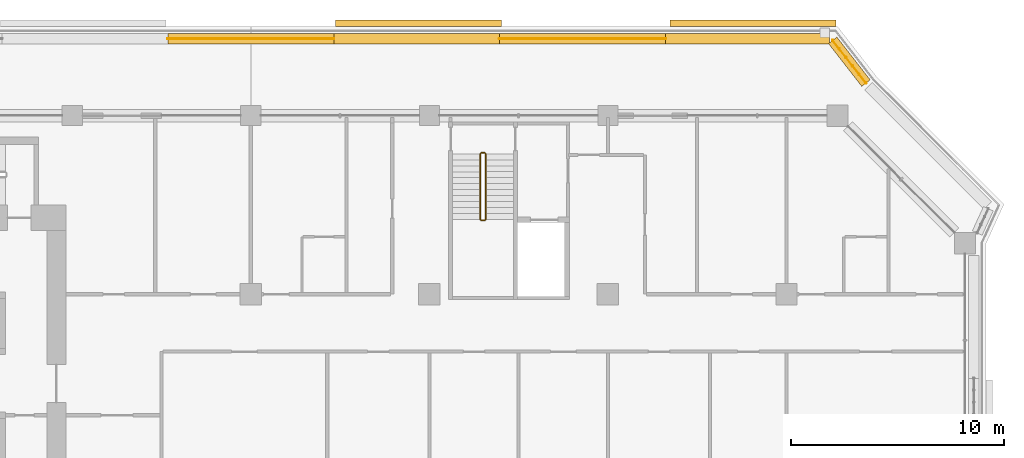
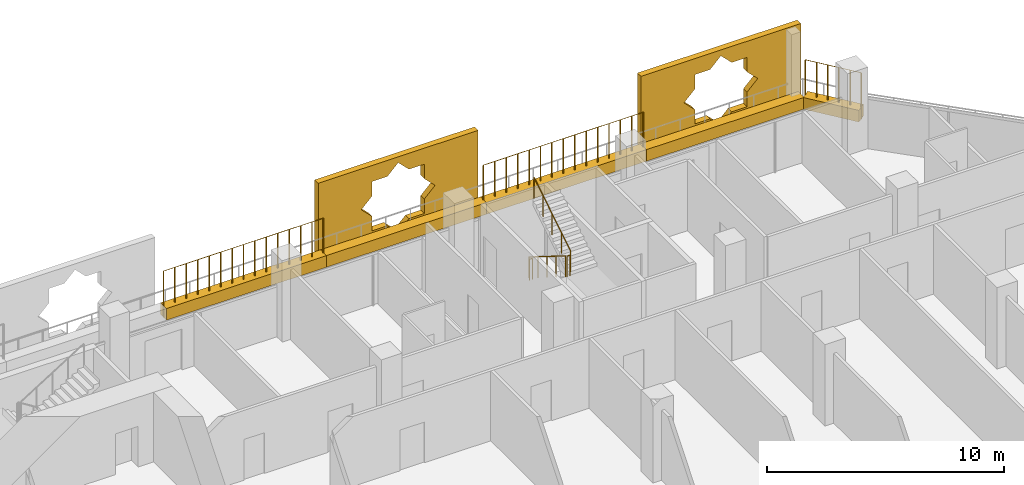
# One storey, part 21 of 22: 7 coverings, 7 railings.
"""IFC4 building model written with IfcOpenShell, lengths in metres."""

from ifc_helpers import new_model, si_unit, direction, frame, origin, origin_2d, place, context, subcontext, project, spatial, polyline, rectangle, circle, outline, extrude, material, material_profile, profile_set, type_object, element, save


model = new_model("IFC4")

# Units and contexts
model_context = context("Model", 3, precision=1e-05, world=origin(), true_north=direction((0.0, 1.0)))
body_context = subcontext(model_context, "Body", "Model", "MODEL_VIEW")
ifc_project = project(units=[si_unit("LENGTHUNIT", "METRE"), si_unit("AREAUNIT", "SQUARE_METRE"), si_unit("VOLUMEUNIT", "CUBIC_METRE"), si_unit("PLANEANGLEUNIT", "RADIAN"), si_unit("MASSUNIT", "GRAM", prefix="KILO")], contexts=[model_context])

# Site, building, storey
site_placement = place(None, origin())
site = spatial("IfcSite", under=ifc_project, at=site_placement, CompositionType="ELEMENT")
building_placement = place(site_placement, origin())
building = spatial("IfcBuilding", under=site, at=building_placement, Name="Kawkab Arch Medical Tower", CompositionType="ELEMENT")
storey_placement = place(building_placement, frame((0.0, 0.0, 179.39990234375)))
storey = spatial("IfcBuildingStorey", under=building, at=storey_placement, Name="L41", CompositionType="ELEMENT", Elevation=179.39990234375)

# Coverings
ifc_material_1 = material(Name="Bronze anodised aluminium mashrabiya panel, eight-point star pattern", Category="aluminium")
ifc_material_profile_1 = material_profile(ifc_material_1, outline(polyline([(-3.89990234375, -2.10009765625), (3.89990234375, -2.10009765625), (3.89990234375, 2.10009765625), (-3.89990234375, 2.10009765625), (-3.89990234375, -2.10009765625)]), holes=[polyline([(1.800048828125, 0.0), (1.272705078125, 0.527099609375), (1.272705078125, 1.272705078125), (0.527099609375, 1.272705078125), (0.0, 1.800048828125), (-0.527099609375, 1.272705078125), (-1.272705078125, 1.272705078125), (-1.272705078125, 0.527099609375), (-1.800048828125, 0.0), (-1.272705078125, -0.527099609375), (-1.272705078125, -1.272705078125), (-0.527099609375, -1.272705078125), (0.0, -1.800048828125), (0.527099609375, -1.272705078125), (1.272705078125, -1.272705078125), (1.272705078125, -0.527099609375), (1.800048828125, 0.0)])]), Name="Mashrabiya panel 7800x4200")
ifc_profile_set_1 = profile_set([ifc_material_profile_1], Name="Bronze anodised aluminium mashrabiya panel, eight-point star pattern")
covering_type_1 = type_object("IfcCoveringType", Name="Mashrabiya panel 7800 x 4200", PredefinedType="USERDEFINED", material=ifc_profile_set_1)
for number, where, z_axis, x_axis, name in (
    (1, (41.484375, 4.199951171875, 1.7001953125), (0.0, 1.0, 0.0), (-1.0, 0.0, 0.0), "Mashrabiya panel L41.LOG-01-01.7"),
    (2, (57.23291015625, 4.199951171875, 1.7001953125), (0.0, 1.0, 0.0), (-1.0, 0.0, 0.0), "Mashrabiya panel L41.LOG-01-01.8"),
):
    element("IfcCovering", number, at=place(storey_placement, frame(where, z_axis=z_axis, x_axis=x_axis)), inside=storey, type_object=covering_type_1, Name=name, ObjectType="SCREEN", PredefinedType="USERDEFINED", context=body_context, shape_type="SweptSolid", body=[
        extrude(outline(polyline([(-3.89990234375, -2.10009765625), (3.89990234375, -2.10009765625), (3.89990234375, 2.10009765625), (-3.89990234375, 2.10009765625), (-3.89990234375, -2.10009765625)]), holes=[polyline([(1.800048828125, 0.0), (1.272705078125, 0.527099609375), (1.272705078125, 1.272705078125), (0.527099609375, 1.272705078125), (0.0, 1.800048828125), (-0.527099609375, 1.272705078125), (-1.272705078125, 1.272705078125), (-1.272705078125, 0.527099609375), (-1.800048828125, 0.0), (-1.272705078125, -0.527099609375), (-1.272705078125, -1.272705078125), (-0.527099609375, -1.272705078125), (0.0, -1.800048828125), (0.527099609375, -1.272705078125), (1.272705078125, -1.272705078125), (1.272705078125, -0.527099609375), (1.800048828125, 0.0)])]), origin(), (0.0, 0.0, 1.0), 0.300048828125),
    ])
ifc_material_2 = material(Name="Planting soil in a precast trough", Category="concrete")
ifc_material_profile_2 = material_profile(ifc_material_2, rectangle(XDim=0.5, YDim=0.60009765625, at=origin_2d()), Name="Trough 500x600")
ifc_profile_set_2 = profile_set([ifc_material_profile_2], Name="Planting soil in a precast trough")
covering_type_2 = type_object("IfcCoveringType", Name="Planter trough 500 x 600", PredefinedType="USERDEFINED", material=ifc_profile_set_2)
covering_1_placement = place(storey_placement, frame((29.697998046875, 3.6201171875, 0.300048828125), z_axis=(1.0, 0.0, 0.0), x_axis=(0.0, 1.0, 0.0)))
element("IfcCovering", 3, at=covering_1_placement, inside=storey, type_object=covering_type_2, Name="Planter L41.LOG-01-01.21", ObjectType="PLANTER", PredefinedType="USERDEFINED", context=body_context, shape_type="SweptSolid", body=[
    extrude(rectangle(XDim=0.5, YDim=0.60009765625, at=origin_2d()), origin(), (0.0, 0.0, 1.0), 7.803955078125),
])
covering_2_placement = place(storey_placement, frame((37.501953125, 3.6201171875, 0.300048828125), z_axis=(1.0, 0.0, 0.0), x_axis=(0.0, 1.0, 0.0)))
element("IfcCovering", 4, at=covering_2_placement, inside=storey, type_object=covering_type_2, Name="Planter L41.LOG-01-01.22", ObjectType="PLANTER", PredefinedType="USERDEFINED", context=body_context, shape_type="SweptSolid", body=[
    extrude(rectangle(XDim=0.5, YDim=0.60009765625, at=origin_2d()), origin(), (0.0, 0.0, 1.0), 7.804931640625),
])
covering_3_placement = place(storey_placement, frame((45.306884765625, 3.6201171875, 0.300048828125), z_axis=(1.0, 0.0, 0.0), x_axis=(0.0, 1.0, 0.0)))
element("IfcCovering", 5, at=covering_3_placement, inside=storey, type_object=covering_type_2, Name="Planter L41.LOG-01-01.23", ObjectType="PLANTER", PredefinedType="USERDEFINED", context=body_context, shape_type="SweptSolid", body=[
    extrude(rectangle(XDim=0.5, YDim=0.60009765625, at=origin_2d()), origin(), (0.0, 0.0, 1.0), 7.80517578125),
])
covering_4_placement = place(storey_placement, frame((53.112060546875, 3.6201171875, 0.300048828125), z_axis=(1.0, 0.0, 0.0), x_axis=(0.0, 1.0, 0.0)))
element("IfcCovering", 6, at=covering_4_placement, inside=storey, type_object=covering_type_2, Name="Planter L41.LOG-01-01.24", ObjectType="PLANTER", PredefinedType="USERDEFINED", context=body_context, shape_type="SweptSolid", body=[
    extrude(rectangle(XDim=0.5, YDim=0.60009765625, at=origin_2d()), origin(), (0.0, 0.0, 1.0), 7.703857421875),
])
covering_5_placement = place(storey_placement, frame((60.97802734375, 3.541015625, 0.300048828125), z_axis=(0.61404021143, -0.789274742246, 0.0), x_axis=(0.789274742246, 0.61404021143, 0.0)))
element("IfcCovering", 7, at=covering_5_placement, inside=storey, type_object=covering_type_2, Name="Planter L41.LOG-01-01.25", ObjectType="PLANTER", PredefinedType="USERDEFINED", context=body_context, shape_type="SweptSolid", body=[
    extrude(rectangle(XDim=0.5, YDim=0.60009765625, at=origin_2d()), origin(), (0.0, 0.0, 1.0), 2.54541015625),
])

# Railings
ifc_material_3 = material(Name="Bronze anodised aluminium trellis for climbing plants", Category="aluminium")
railing_type_1 = type_object("IfcRailingType", Name="Planting trellis 2400", PredefinedType="USERDEFINED", material=ifc_material_3)
railing_1_placement = place(storey_placement, frame((29.697998046875, 3.6201171875, 0.0)))
element("IfcRailing", 8, at=railing_1_placement, inside=storey, type_object=railing_type_1, Name="Planting trellis L41.LOG-01-01.21", ObjectType="TRELLIS", PredefinedType="USERDEFINED", context=body_context, shape_type="SweptSolid", body=[
    extrude(circle(Radius=0.01513671875, at=origin_2d()), frame((0.0, 0.0, 2.384765625), z_axis=(1.0, 0.0, 0.0), x_axis=(0.0, 1.0, 0.0)), (0.0, 0.0, 1.0), 7.803955078125),
    extrude(circle(Radius=0.030029296875, at=origin_2d()), origin(), (0.0, 0.0, 1.0), 2.369873046875),
    extrude(circle(Radius=0.030029296875, at=origin_2d()), frame((0.557373046875, 0.0, 0.0)), (0.0, 0.0, 1.0), 2.369873046875),
    extrude(circle(Radius=0.030029296875, at=origin_2d()), frame((1.11474609375, 0.0, 0.0)), (0.0, 0.0, 1.0), 2.369873046875),
    extrude(circle(Radius=0.030029296875, at=origin_2d()), frame((1.67236328125, 0.0, 0.0)), (0.0, 0.0, 1.0), 2.369873046875),
    extrude(circle(Radius=0.030029296875, at=origin_2d()), frame((2.229736328125, 0.0, 0.0)), (0.0, 0.0, 1.0), 2.369873046875),
    extrude(circle(Radius=0.030029296875, at=origin_2d()), frame((2.787109375, 0.0, 0.0)), (0.0, 0.0, 1.0), 2.369873046875),
    extrude(circle(Radius=0.030029296875, at=origin_2d()), frame((3.344482421875, 0.0, 0.0)), (0.0, 0.0, 1.0), 2.369873046875),
    extrude(circle(Radius=0.030029296875, at=origin_2d()), frame((3.90185546875, 0.0, 0.0)), (0.0, 0.0, 1.0), 2.369873046875),
    extrude(circle(Radius=0.030029296875, at=origin_2d()), frame((4.45947265625, 0.0, 0.0)), (0.0, 0.0, 1.0), 2.369873046875),
    extrude(circle(Radius=0.030029296875, at=origin_2d()), frame((5.016845703125, 0.0, 0.0)), (0.0, 0.0, 1.0), 2.369873046875),
    extrude(circle(Radius=0.030029296875, at=origin_2d()), frame((5.57421875, 0.0, 0.0)), (0.0, 0.0, 1.0), 2.369873046875),
    extrude(circle(Radius=0.030029296875, at=origin_2d()), frame((6.131591796875, 0.0, 0.0)), (0.0, 0.0, 1.0), 2.369873046875),
    extrude(circle(Radius=0.030029296875, at=origin_2d()), frame((6.689208984375, 0.0, 0.0)), (0.0, 0.0, 1.0), 2.369873046875),
    extrude(circle(Radius=0.030029296875, at=origin_2d()), frame((7.24658203125, 0.0, 0.0)), (0.0, 0.0, 1.0), 2.369873046875),
    extrude(circle(Radius=0.030029296875, at=origin_2d()), frame((7.803955078125, 0.0, 0.0)), (0.0, 0.0, 1.0), 2.369873046875),
])
railing_2_placement = place(storey_placement, frame((45.306884765625, 3.6201171875, 0.0)))
element("IfcRailing", 9, at=railing_2_placement, inside=storey, type_object=railing_type_1, Name="Planting trellis L41.LOG-01-01.23", ObjectType="TRELLIS", PredefinedType="USERDEFINED", context=body_context, shape_type="SweptSolid", body=[
    extrude(circle(Radius=0.01513671875, at=origin_2d()), frame((0.0, 0.0, 2.384765625), z_axis=(1.0, 0.0, 0.0), x_axis=(0.0, 1.0, 0.0)), (0.0, 0.0, 1.0), 7.80517578125),
    extrude(circle(Radius=0.030029296875, at=origin_2d()), origin(), (0.0, 0.0, 1.0), 2.369873046875),
    extrude(circle(Radius=0.030029296875, at=origin_2d()), frame((0.5576171875, 0.0, 0.0)), (0.0, 0.0, 1.0), 2.369873046875),
    extrude(circle(Radius=0.030029296875, at=origin_2d()), frame((1.114990234375, 0.0, 0.0)), (0.0, 0.0, 1.0), 2.369873046875),
    extrude(circle(Radius=0.030029296875, at=origin_2d()), frame((1.672607421875, 0.0, 0.0)), (0.0, 0.0, 1.0), 2.369873046875),
    extrude(circle(Radius=0.030029296875, at=origin_2d()), frame((2.22998046875, 0.0, 0.0)), (0.0, 0.0, 1.0), 2.369873046875),
    extrude(circle(Radius=0.030029296875, at=origin_2d()), frame((2.78759765625, 0.0, 0.0)), (0.0, 0.0, 1.0), 2.369873046875),
    extrude(circle(Radius=0.030029296875, at=origin_2d()), frame((3.344970703125, 0.0, 0.0)), (0.0, 0.0, 1.0), 2.369873046875),
    extrude(circle(Radius=0.030029296875, at=origin_2d()), frame((3.902587890625, 0.0, 0.0)), (0.0, 0.0, 1.0), 2.369873046875),
    extrude(circle(Radius=0.030029296875, at=origin_2d()), frame((4.460205078125, 0.0, 0.0)), (0.0, 0.0, 1.0), 2.369873046875),
    extrude(circle(Radius=0.030029296875, at=origin_2d()), frame((5.017578125, 0.0, 0.0)), (0.0, 0.0, 1.0), 2.369873046875),
    extrude(circle(Radius=0.030029296875, at=origin_2d()), frame((5.5751953125, 0.0, 0.0)), (0.0, 0.0, 1.0), 2.369873046875),
    extrude(circle(Radius=0.030029296875, at=origin_2d()), frame((6.132568359375, 0.0, 0.0)), (0.0, 0.0, 1.0), 2.369873046875),
    extrude(circle(Radius=0.030029296875, at=origin_2d()), frame((6.690185546875, 0.0, 0.0)), (0.0, 0.0, 1.0), 2.369873046875),
    extrude(circle(Radius=0.030029296875, at=origin_2d()), frame((7.24755859375, 0.0, 0.0)), (0.0, 0.0, 1.0), 2.369873046875),
    extrude(circle(Radius=0.030029296875, at=origin_2d()), frame((7.80517578125, 0.0, 0.0)), (0.0, 0.0, 1.0), 2.369873046875),
])
railing_3_placement = place(storey_placement, frame((60.97802734375, 3.541015625, 0.0)))
element("IfcRailing", 10, at=railing_3_placement, inside=storey, type_object=railing_type_1, Name="Planting trellis L41.LOG-01-01.25", ObjectType="TRELLIS", PredefinedType="USERDEFINED", context=body_context, shape_type="SweptSolid", body=[
    extrude(circle(Radius=0.01513671875, at=origin_2d()), frame((0.0, 0.0, 2.384765625), z_axis=(0.61404021143, -0.789274742246, 0.0), x_axis=(0.789274742246, 0.61404021143, 0.0)), (0.0, 0.0, 1.0), 2.54541015625),
    extrude(circle(Radius=0.030029296875, at=origin_2d()), origin(), (0.0, 0.0, 1.0), 2.369873046875),
    extrude(circle(Radius=0.030029296875, at=origin_2d()), frame((0.3125, -0.40185546875, 0.0)), (0.0, 0.0, 1.0), 2.369873046875),
    extrude(circle(Radius=0.030029296875, at=origin_2d()), frame((0.625244140625, -0.8037109375, 0.0)), (0.0, 0.0, 1.0), 2.369873046875),
    extrude(circle(Radius=0.030029296875, at=origin_2d()), frame((0.937744140625, -1.205322265625, 0.0)), (0.0, 0.0, 1.0), 2.369873046875),
    extrude(circle(Radius=0.030029296875, at=origin_2d()), frame((1.25048828125, -1.607177734375, 0.0)), (0.0, 0.0, 1.0), 2.369873046875),
    extrude(circle(Radius=0.030029296875, at=origin_2d()), frame((1.56298828125, -2.009033203125, 0.0)), (0.0, 0.0, 1.0), 2.369873046875),
])
ifc_material_4 = material(Name="Stainless steel", Category="steel")
railing_type_2 = type_object("IfcRailingType", Name="Stair guard 1100", PredefinedType="GUARDRAIL", material=ifc_material_4)
railing_4_placement = place(storey_placement, frame((44.39990234375, -1.800048828125, 0.175048828125)))
element("IfcRailing", 11, at=railing_4_placement, inside=storey, type_object=railing_type_2, Name="L41 ST5 stair guard 1", PredefinedType="GUARDRAIL", context=body_context, shape_type="SweptSolid", body=[
    extrude(circle(Radius=0.02392578125, at=origin_2d()), frame((0.0, 0.0, 1.076171875), z_axis=(0.0, -0.847979421464, 0.530029150871), x_axis=(1.0, 0.0, 0.0)), (0.0, 0.0, 1.0), 3.632080078125),
    extrude(circle(Radius=0.02099609375, at=origin_2d()), origin(), (0.0, 0.0, 1.0), 1.052001953125),
    extrude(circle(Radius=0.02099609375, at=origin_2d()), frame((0.0, -0.77001953125, 0.481201171875)), (0.0, 0.0, 1.0), 1.052001953125),
    extrude(circle(Radius=0.02099609375, at=origin_2d()), frame((0.0, -1.5400390625, 0.96240234375)), (0.0, 0.0, 1.0), 1.052001953125),
    extrude(circle(Radius=0.02099609375, at=origin_2d()), frame((0.0, -2.309814453125, 1.44384765625)), (0.0, 0.0, 1.0), 1.052001953125),
    extrude(circle(Radius=0.02099609375, at=origin_2d()), frame((0.0, -3.079833984375, 1.925048828125)), (0.0, 0.0, 1.0), 1.052001953125),
])
railing_5_placement = place(storey_placement, frame((44.449951171875, -4.929931640625, 2.10009765625)))
element("IfcRailing", 12, at=railing_5_placement, inside=storey, type_object=railing_type_2, Name="L41 ST5 stair guard 2", PredefinedType="GUARDRAIL", context=body_context, shape_type="SweptSolid", body=[
    extrude(circle(Radius=0.02392578125, at=origin_2d()), frame((0.0, 0.0, 1.076171875), z_axis=(1.0, 0.0, 0.0), x_axis=(0.0, 1.0, 0.0)), (0.0, 0.0, 1.0), 0.150146484375),
    extrude(circle(Radius=0.02099609375, at=origin_2d()), origin(), (0.0, 0.0, 1.0), 1.052001953125),
    extrude(circle(Radius=0.02099609375, at=origin_2d()), frame((0.150146484375, 0.0, 0.0)), (0.0, 0.0, 1.0), 1.052001953125),
])
railing_6_placement = place(storey_placement, frame((44.64990234375, -4.8798828125, 2.275146484375)))
element("IfcRailing", 13, at=railing_6_placement, inside=storey, type_object=railing_type_2, Name="L41 ST5 stair guard 3", PredefinedType="GUARDRAIL", context=body_context, shape_type="SweptSolid", body=[
    extrude(circle(Radius=0.02392578125, at=origin_2d()), frame((0.0, 0.0, 1.076171875), z_axis=(0.0, 0.847979421464, 0.530029150871), x_axis=(-1.0, 0.0, 0.0)), (0.0, 0.0, 1.0), 3.632080078125),
    extrude(circle(Radius=0.02099609375, at=origin_2d()), origin(), (0.0, 0.0, 1.0), 1.052001953125),
    extrude(circle(Radius=0.02099609375, at=origin_2d()), frame((0.0, 0.77001953125, 0.481201171875)), (0.0, 0.0, 1.0), 1.052001953125),
    extrude(circle(Radius=0.02099609375, at=origin_2d()), frame((0.0, 1.5400390625, 0.96240234375)), (0.0, 0.0, 1.0), 1.052001953125),
    extrude(circle(Radius=0.02099609375, at=origin_2d()), frame((0.0, 2.309814453125, 1.44384765625)), (0.0, 0.0, 1.0), 1.052001953125),
    extrude(circle(Radius=0.02099609375, at=origin_2d()), frame((0.0, 3.079833984375, 1.925048828125)), (0.0, 0.0, 1.0), 1.052001953125),
])
railing_7_placement = place(storey_placement, frame((44.449951171875, -1.75, 0.0)))
element("IfcRailing", 14, at=railing_7_placement, inside=storey, type_object=railing_type_2, Name="L41 ST5 stair guard 4", PredefinedType="GUARDRAIL", context=body_context, shape_type="SweptSolid", body=[
    extrude(circle(Radius=0.02392578125, at=origin_2d()), frame((0.0, 0.0, 1.076171875), z_axis=(1.0, 0.0, 0.0), x_axis=(0.0, 1.0, 0.0)), (0.0, 0.0, 1.0), 0.150146484375),
    extrude(circle(Radius=0.02099609375, at=origin_2d()), origin(), (0.0, 0.0, 1.0), 1.052001953125),
    extrude(circle(Radius=0.02099609375, at=origin_2d()), frame((0.150146484375, 0.0, 0.0)), (0.0, 0.0, 1.0), 1.052001953125),
])

save(model, "model.ifc")
